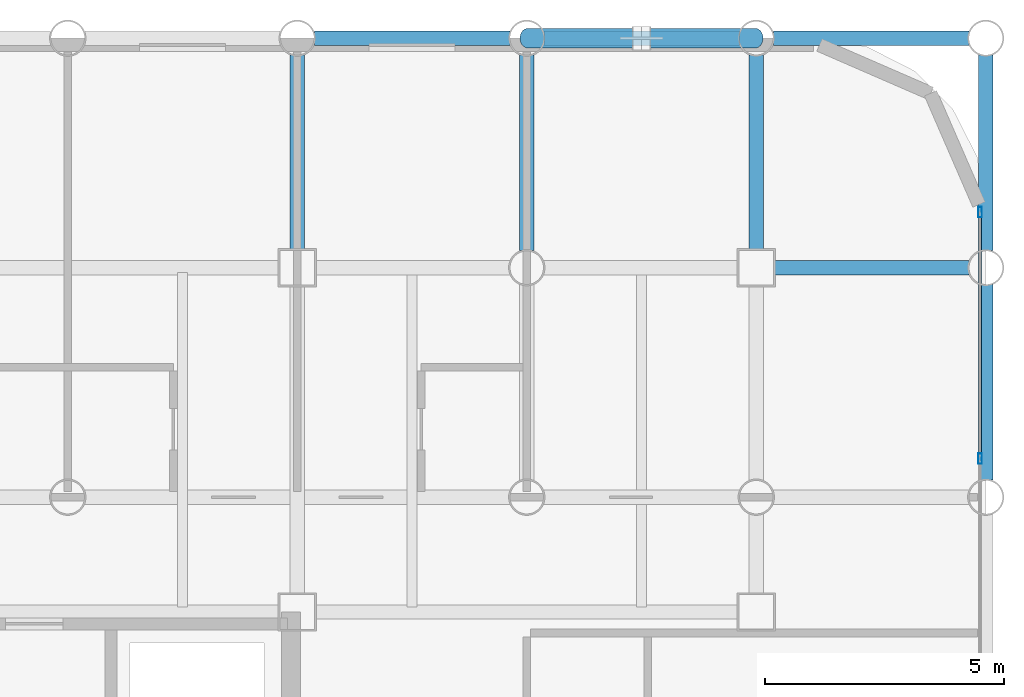
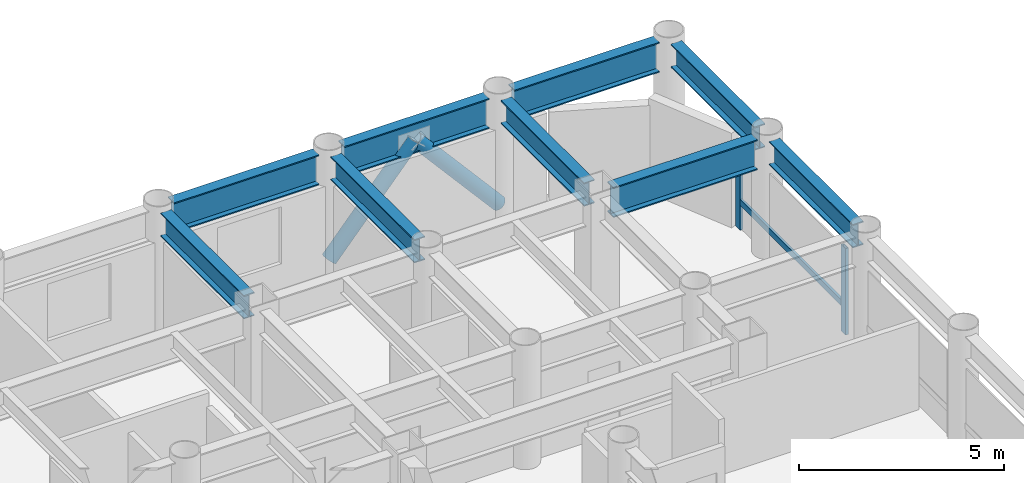
# One storey, part 14 of 22: 9 beams, 5 members, 1 element without a shape of its own.
"""IFC4 building model written with IfcOpenShell, lengths in metres."""

from ifc_helpers import new_model, si_unit, direction, frame, origin, origin_2d, place, context, subcontext, project, spatial, hollow_rectangle, hollow_circle, i_section, extrude, material, layer, layer_set, material_profile, profile_set, type_object, element, aggregate, save


model = new_model("IFC4")

# Units and contexts
model_context = context("Model", 3, precision=1e-05, world=origin(), true_north=direction((0.0, 1.0)))
body_context = subcontext(model_context, "Body", "Model", "MODEL_VIEW")
ifc_project = project(units=[si_unit("LENGTHUNIT", "METRE"), si_unit("AREAUNIT", "SQUARE_METRE"), si_unit("VOLUMEUNIT", "CUBIC_METRE"), si_unit("PLANEANGLEUNIT", "RADIAN"), si_unit("MASSUNIT", "GRAM", prefix="KILO")], contexts=[model_context])

# Site, building, storey
site_placement = place(None, origin())
site = spatial("IfcSite", under=ifc_project, at=site_placement, CompositionType="ELEMENT")
building_placement = place(site_placement, origin())
building = spatial("IfcBuilding", under=site, at=building_placement, Name="Kallvorn Hotel Tower", CompositionType="ELEMENT")
storey_placement = place(building_placement, frame((0.0, 0.0, 37.39990234375)))
storey = spatial("IfcBuildingStorey", under=building, at=storey_placement, Name="L07", CompositionType="ELEMENT", Elevation=37.39990234375)

# Beams
ifc_material_1 = material(Name="Structural steel S355JR", Category="steel")
ifc_material_profile_1 = material_profile(ifc_material_1, i_section(OverallWidth=0.300048828125, OverallDepth=0.699951171875, WebThickness=0.01708984375, FlangeThickness=0.031982421875, at=origin_2d()), Name="HE 700 B")
ifc_profile_set_1 = profile_set([ifc_material_profile_1], Name="Structural steel S355JR")
beam_type_1 = type_object("IfcBeamType", Name="BM_HE700B", PredefinedType="BEAM", material=ifc_profile_set_1)
beam_1_placement = place(storey_placement, frame((14.39990234375, 14.77490234375, 3.170166015625), z_axis=(0.0, 1.0, 0.0), x_axis=(-1.0, 0.0, 0.0)))
element("IfcBeam", 1, at=beam_1_placement, inside=storey, type_object=beam_type_1, Name="L08 Primary Y-Girder 126", PredefinedType="BEAM", context=body_context, shape_type="SweptSolid", body=[
    extrude(i_section(OverallWidth=0.300048828125, OverallDepth=0.699951171875, WebThickness=0.01708984375, FlangeThickness=0.031982421875, at=origin_2d()), origin(), (0.0, 0.0, 1.0), 4.069091796875),
])
beam_2_placement = place(storey_placement, frame((19.199951171875, 14.756103515625, 3.170166015625), z_axis=(0.0, 1.0, 0.0), x_axis=(-1.0, 0.0, 0.0)))
element("IfcBeam", 2, at=beam_2_placement, inside=storey, type_object=beam_type_1, Name="L08 Primary Y-Girder 135", PredefinedType="BEAM", context=body_context, shape_type="SweptSolid", body=[
    extrude(i_section(OverallWidth=0.300048828125, OverallDepth=0.699951171875, WebThickness=0.01708984375, FlangeThickness=0.031982421875, at=origin_2d()), origin(), (0.0, 0.0, 1.0), 4.087890625),
])
beam_3_placement = place(storey_placement, frame((24.0, 14.77490234375, 3.170166015625), z_axis=(0.0, 1.0, 0.0), x_axis=(-1.0, 0.0, 0.0)))
element("IfcBeam", 3, at=beam_3_placement, inside=storey, type_object=beam_type_1, Name="L08 Primary Y-Girder 142", PredefinedType="BEAM", context=body_context, shape_type="SweptSolid", body=[
    extrude(i_section(OverallWidth=0.300048828125, OverallDepth=0.699951171875, WebThickness=0.01708984375, FlangeThickness=0.031982421875, at=origin_2d()), origin(), (0.0, 0.0, 1.0), 4.069091796875),
])
for number, where, z_axis, x_axis, name in (
    (4, (28.800048828125, 9.9560546875, 3.170166015625), (0.0, 1.0, 0.0), (-1.0, 0.0, 0.0), "L08 Primary Y-Girder 149"),
    (5, (28.800048828125, 14.756103515625, 3.170166015625), (0.0, 1.0, 0.0), (-1.0, 0.0, 0.0), "L08 Primary Y-Girder 150"),
):
    element("IfcBeam", number, at=place(storey_placement, frame(where, z_axis=z_axis, x_axis=x_axis)), inside=storey, type_object=beam_type_1, Name=name, PredefinedType="BEAM", context=body_context, shape_type="SweptSolid", body=[
        extrude(i_section(OverallWidth=0.300048828125, OverallDepth=0.699951171875, WebThickness=0.01708984375, FlangeThickness=0.031982421875, at=origin_2d()), origin(), (0.0, 0.0, 1.0), 4.087890625),
    ])
ifc_material_2 = material(Name="Structural steel S355JR", Category="steel")
ifc_material_profile_2 = material_profile(ifc_material_2, i_section(OverallWidth=0.300048828125, OverallDepth=0.89990234375, WebThickness=0.0185546875, FlangeThickness=0.034912109375, at=origin_2d()), Name="HE 900 B")
ifc_profile_set_2 = profile_set([ifc_material_profile_2], Name="Structural steel S355JR")
beam_type_2 = type_object("IfcBeamType", Name="BM_HE900B", PredefinedType="BEAM", material=ifc_profile_set_2)
beam_4_placement = place(storey_placement, frame((24.375, 14.39990234375, 3.070068359375), z_axis=(1.0, 0.0, 0.0), x_axis=(0.0, 1.0, 0.0)))
element("IfcBeam", 6, at=beam_4_placement, inside=storey, type_object=beam_type_2, Name="L08 Primary X-Girder 60", PredefinedType="BEAM", context=body_context, shape_type="SweptSolid", body=[
    extrude(i_section(OverallWidth=0.300048828125, OverallDepth=0.89990234375, WebThickness=0.0185546875, FlangeThickness=0.034912109375, at=origin_2d()), origin(), (0.0, 0.0, 1.0), 4.069091796875),
])
beam_5_placement = place(storey_placement, frame((14.756103515625, 19.199951171875, 3.070068359375), z_axis=(1.0, 0.0, 0.0), x_axis=(0.0, 1.0, 0.0)))
element("IfcBeam", 7, at=beam_5_placement, inside=storey, type_object=beam_type_2, Name="L08 Primary X-Girder 70", PredefinedType="BEAM", context=body_context, shape_type="SweptSolid", body=[
    extrude(i_section(OverallWidth=0.300048828125, OverallDepth=0.89990234375, WebThickness=0.0185546875, FlangeThickness=0.034912109375, at=origin_2d()), origin(), (0.0, 0.0, 1.0), 4.087890625),
])
for number, where, z_axis, x_axis, name in (
    (8, (19.555908203125, 19.199951171875, 3.070068359375), (1.0, 0.0, 0.0), (0.0, 1.0, 0.0), "L08 Primary X-Girder 71"),
    (9, (24.35595703125, 19.199951171875, 3.070068359375), (1.0, 0.0, 0.0), (0.0, 1.0, 0.0), "L08 Primary X-Girder 72"),
):
    element("IfcBeam", number, at=place(storey_placement, frame(where, z_axis=z_axis, x_axis=x_axis)), inside=storey, type_object=beam_type_2, Name=name, PredefinedType="BEAM", context=body_context, shape_type="SweptSolid", body=[
        extrude(i_section(OverallWidth=0.300048828125, OverallDepth=0.89990234375, WebThickness=0.0185546875, FlangeThickness=0.034912109375, at=origin_2d()), origin(), (0.0, 0.0, 1.0), 4.088134765625),
    ])

# Curtain wall, members
ifc_material_3 = material(Name="Thermally broken black-anodised aluminium AA 6063-T6", Category="aluminium")
ifc_layer = layer(ifc_material_3, 0.199951171875)
ifc_layer_set = layer_set([ifc_layer], Name="CW_SYS_3_HOTEL_LOW")
curtain_wall_type = type_object("IfcCurtainWallType", Name="CW_SYS_3_HOTEL_LOW", PredefinedType="USERDEFINED", material=ifc_layer_set)
curtain_wall_placement = place(storey_placement, origin())
curtain_wall = element("IfcCurtainWall", 10, at=curtain_wall_placement, inside=storey, type_object=curtain_wall_type, Name="L07 Dark-Glass Curtain Wall CW-L07-EN", ObjectType="UNITISED CURTAIN WALL", PredefinedType="USERDEFINED")
ifc_material_4 = material(Name="Thermally broken black-anodised aluminium AA 6063-T6", Category="aluminium")
ifc_material_profile_3 = material_profile(ifc_material_4, hollow_rectangle(XDim=0.080078125, YDim=0.219970703125, WallThickness=0.0048828125, at=origin_2d()), Name="MUL 220x80")
ifc_profile_set_3 = profile_set([ifc_material_profile_3], Name="Thermally broken black-anodised aluminium AA 6063-T6")
member_type_1 = type_object("IfcMemberType", Name="CW_MULLION_220x80", PredefinedType="MULLION", material=ifc_profile_set_3)
member_1_placement = place(storey_placement, frame((28.679931640625, 10.40673828125, 0.02001953125), z_axis=(0.0, 0.0, 1.0), x_axis=(1.0, 0.0, 0.0)))
member_1 = element("IfcMember", 11, at=member_1_placement, type_object=member_type_1, Name="CW-L07-EN Mullion 02", PredefinedType="MULLION", context=body_context, shape_type="SweptSolid", body=[
    extrude(hollow_rectangle(XDim=0.080078125, YDim=0.219970703125, WallThickness=0.0048828125, at=origin_2d()), origin(), (0.0, 0.0, 1.0), 2.580078125),
])
member_2_placement = place(storey_placement, frame((28.679931640625, 15.56005859375, 0.02001953125), z_axis=(0.0, 0.0, 1.0), x_axis=(1.0, 0.0, 0.0)))
member_2 = element("IfcMember", 12, at=member_2_placement, type_object=member_type_1, Name="CW-L07-EN Mullion 03", PredefinedType="MULLION", context=body_context, shape_type="SweptSolid", body=[
    extrude(hollow_rectangle(XDim=0.080078125, YDim=0.219970703125, WallThickness=0.0048828125, at=origin_2d()), origin(), (0.0, 0.0, 1.0), 2.580078125),
])
ifc_material_5 = material(Name="Thermally broken black-anodised aluminium AA 6063-T6", Category="aluminium")
ifc_material_profile_4 = material_profile(ifc_material_5, hollow_rectangle(XDim=0.070068359375, YDim=0.179931640625, WallThickness=0.00390625, at=origin_2d()), Name="TRN 180x70")
ifc_profile_set_4 = profile_set([ifc_material_profile_4], Name="Thermally broken black-anodised aluminium AA 6063-T6")
member_type_2 = type_object("IfcMemberType", Name="CW_TRANSOM_180x70", PredefinedType="USERDEFINED", material=ifc_profile_set_4)
member_3_placement = place(storey_placement, frame((28.679931640625, 10.44677734375, 0.85009765625), z_axis=(0.0, 1.0, 0.0), x_axis=(-1.0, 0.0, 0.0)))
member_3 = element("IfcMember", 13, at=member_3_placement, type_object=member_type_2, Name="CW-L07-EN Transom 02M", ObjectType="TRANSOM", PredefinedType="USERDEFINED", context=body_context, shape_type="SweptSolid", body=[
    extrude(hollow_rectangle(XDim=0.070068359375, YDim=0.179931640625, WallThickness=0.00390625, at=origin_2d()), origin(), (0.0, 0.0, 1.0), 5.11328125),
])
aggregate(curtain_wall, [member_1, member_2, member_3])

# Members
ifc_material_6 = material(Name="Structural steel S355J2H", Category="steel")
ifc_material_profile_5 = material_profile(ifc_material_6, hollow_circle(Radius=0.203125, WallThickness=0.01611328125, at=origin_2d()), Name="CHS 406.4x16")
ifc_profile_set_5 = profile_set([ifc_material_profile_5], Name="Structural steel S355J2H")
member_type_3 = type_object("IfcMemberType", Name="MBR_EXO_CHS406", PredefinedType="BRACE", material=ifc_profile_set_5)
for number, where, z_axis, x_axis, name in (
    (14, (19.213134765625, 19.199951171875, 0.1953125), (0.65346062529, 0.0, 0.756960508346), (0.0, 1.0, 0.0), "L07 Exoskeleton K-Brace N2A"),
    (15, (23.98681640625, 19.199951171875, 0.1953125), (-0.65346062529, 0.0, 0.756960508346), (0.0, -1.0, 0.0), "L07 Exoskeleton K-Brace N2B"),
):
    element("IfcMember", number, at=place(storey_placement, frame(where, z_axis=z_axis, x_axis=x_axis)), inside=storey, type_object=member_type_3, Name=name, PredefinedType="BRACE", context=body_context, shape_type="SweptSolid", body=[
        extrude(hollow_circle(Radius=0.203125, WallThickness=0.01611328125, at=origin_2d()), origin(), (0.0, 0.0, 1.0), 3.632568359375),
    ])

save(model, "model.ifc")
